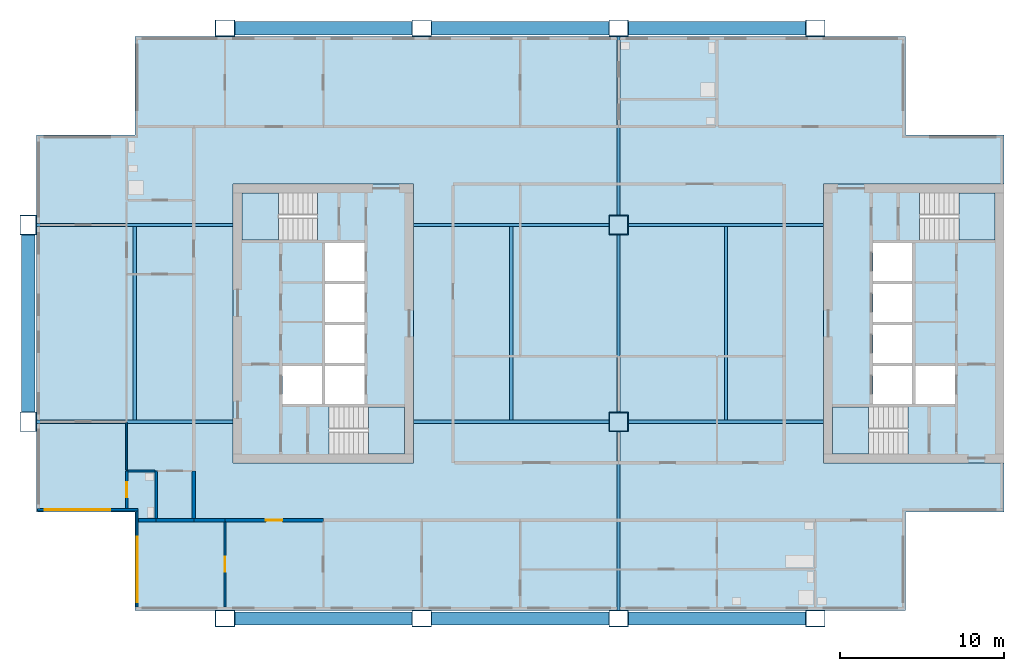
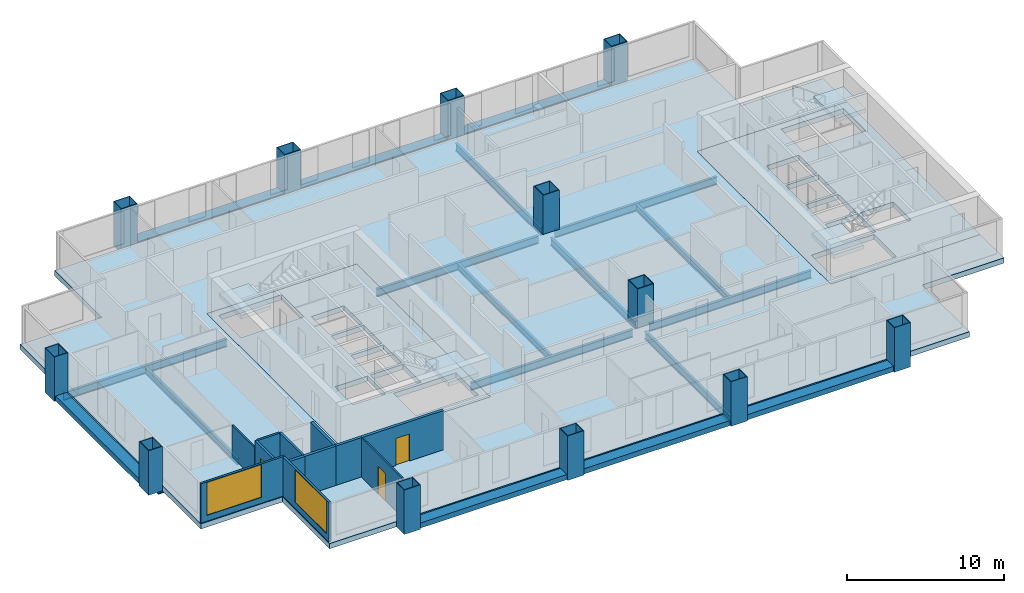
# One storey, part 1 of 9: 19 beams, 12 columns, 12 walls, 7 slabs, 3 doors, 2 windows, 5 openings, 4 elements without a shape of their own.
"""IFC4 building model written with IfcOpenShell, lengths in metres."""

from ifc_helpers import new_model, si_unit, direction, frame, frame_2d, origin, origin_2d, place, context, subcontext, project, spatial, polyline, rectangle, hollow_rectangle, i_section, outline, extrude, material, layer, layer_set, material_profile, profile_set, type_object, element, fill, aggregate, save


model = new_model("IFC4")

# Units and contexts
model_context = context("Model", 3, precision=1e-05, world=origin(), true_north=direction((0.0, 1.0)))
body_context = subcontext(model_context, "Body", "Model", "MODEL_VIEW")
ifc_project = project(units=[si_unit("LENGTHUNIT", "METRE"), si_unit("AREAUNIT", "SQUARE_METRE"), si_unit("VOLUMEUNIT", "CUBIC_METRE"), si_unit("PLANEANGLEUNIT", "RADIAN"), si_unit("MASSUNIT", "GRAM", prefix="KILO")], contexts=[model_context])

# Site, building, storey
site_placement = place(None, origin())
site = spatial("IfcSite", under=ifc_project, at=site_placement, CompositionType="ELEMENT")
building_placement = place(site_placement, origin())
building = spatial("IfcBuilding", under=site, at=building_placement, Name="Kitamizu Gate Tower and Museum", CompositionType="ELEMENT")
storey_placement = place(building_placement, frame((0.0, 0.0, 196.199951171875)))
storey = spatial("IfcBuildingStorey", under=building, at=storey_placement, Name="L52", CompositionType="ELEMENT", Elevation=196.199951171875)

# Columns
ifc_material_1 = material(Name="Steel SM490A bronze coated", Category="steel")
ifc_material_profile_1 = material_profile(ifc_material_1, hollow_rectangle(XDim=1.199951171875, YDim=1.0, WallThickness=0.044921875, at=origin_2d()), Name="BOX 1200x1000x45")
ifc_profile_set_1 = profile_set([ifc_material_profile_1], Name="Steel SM490A bronze coated")
column_type_1 = type_object("IfcColumnType", Name="Exoskeleton column XC7 BOX 1200x1000x45", PredefinedType="COLUMN", material=ifc_profile_set_1)
for number, where, z_axis, x_axis, name in (
    (1, (0.0, 24.0, -0.39990234375), (0.0, 0.0, 1.0), (0.0, 1.0, 0.0), "Column XC7 1C L52"),
    (2, (0.0, 36.0, -0.39990234375), (0.0, 0.0, 1.0), (0.0, 1.0, 0.0), "Column XC7 1D L52"),
    (3, (12.0, 12.0, -0.39990234375), (0.0, 0.0, 1.0), (1.0, 0.0, 0.0), "Column XC7 2B L52"),
    (4, (12.0, 48.0, -0.39990234375), (0.0, 0.0, 1.0), (1.0, 0.0, 0.0), "Column XC7 2E L52"),
    (5, (24.0, 12.0, -0.39990234375), (0.0, 0.0, 1.0), (1.0, 0.0, 0.0), "Column XC7 3B L52"),
    (6, (24.0, 48.0, -0.39990234375), (0.0, 0.0, 1.0), (1.0, 0.0, 0.0), "Column XC7 3E L52"),
    (7, (36.0, 12.0, -0.39990234375), (0.0, 0.0, 1.0), (1.0, 0.0, 0.0), "Column XC7 4B L52"),
    (8, (36.0, 48.0, -0.39990234375), (0.0, 0.0, 1.0), (1.0, 0.0, 0.0), "Column XC7 4E L52"),
    (9, (48.0, 12.0, -0.39990234375), (0.0, 0.0, 1.0), (1.0, 0.0, 0.0), "Column XC7 5B L52"),
    (10, (48.0, 48.0, -0.39990234375), (0.0, 0.0, 1.0), (1.0, 0.0, 0.0), "Column XC7 5E L52"),
):
    element("IfcColumn", number, at=place(storey_placement, frame(where, z_axis=z_axis, x_axis=x_axis)), inside=storey, type_object=column_type_1, Name=name, PredefinedType="COLUMN", context=body_context, shape_type="SweptSolid", body=[
        extrude(hollow_rectangle(XDim=1.199951171875, YDim=1.0, WallThickness=0.044921875, at=origin_2d()), origin(), (0.0, 0.0, 1.0), 3.449951171875),
    ])
ifc_material_2 = material(Name="Steel SM490A", Category="steel")
ifc_material_profile_2 = material_profile(ifc_material_2, hollow_rectangle(XDim=1.199951171875, YDim=1.199951171875, WallThickness=0.050048828125, at=origin_2d()), Name="BOX 1200x1200x50")
ifc_profile_set_2 = profile_set([ifc_material_profile_2], Name="Steel SM490A")
column_type_2 = type_object("IfcColumnType", Name="Interior column IC4 BOX 1200x1200x50", PredefinedType="COLUMN", material=ifc_profile_set_2)
for number, where, z_axis, x_axis, name in (
    (11, (36.0, 24.0, 0.0), (0.0, 0.0, 1.0), (1.0, 0.0, 0.0), "Column IC4 4C L52"),
    (12, (36.0, 36.0, 0.0), (0.0, 0.0, 1.0), (1.0, 0.0, 0.0), "Column IC4 4D L52"),
):
    element("IfcColumn", number, at=place(storey_placement, frame(where, z_axis=z_axis, x_axis=x_axis)), inside=storey, type_object=column_type_2, Name=name, PredefinedType="COLUMN", context=body_context, shape_type="SweptSolid", body=[
        extrude(hollow_rectangle(XDim=1.199951171875, YDim=1.199951171875, WallThickness=0.050048828125, at=origin_2d()), origin(), (0.0, 0.0, 1.0), 3.050048828125),
    ])

# Beams
ifc_material_3 = material(Name="Steel SM490A bronze coated", Category="steel")
ifc_material_profile_3 = material_profile(ifc_material_3, hollow_rectangle(XDim=0.800048828125, YDim=0.39990234375, WallThickness=0.0400390625, at=origin_2d()), Name="BOX 800x400x40")
ifc_profile_set_3 = profile_set([ifc_material_profile_3], Name="Steel SM490A bronze coated")
beam_type_1 = type_object("IfcBeamType", Name="Exoskeleton spandrel beam SB1 BOX 800x400x40", PredefinedType="SPANDREL", material=ifc_profile_set_3)
for number, where, z_axis, x_axis, name in (
    (13, (12.60009765625, 12.0, -0.199951171875), (1.0, 0.0, 0.0), (0.0, 1.0, 0.0), "Exoskeleton spandrel beam south 12 L52"),
    (14, (24.60009765625, 12.0, -0.199951171875), (1.0, 0.0, 0.0), (0.0, 1.0, 0.0), "Exoskeleton spandrel beam south 24 L52"),
    (15, (36.60009765625, 12.0, -0.199951171875), (1.0, 0.0, 0.0), (0.0, 1.0, 0.0), "Exoskeleton spandrel beam south 36 L52"),
    (16, (12.60009765625, 48.0, -0.199951171875), (1.0, 0.0, 0.0), (0.0, 1.0, 0.0), "Exoskeleton spandrel beam north 12 L52"),
    (17, (24.60009765625, 48.0, -0.199951171875), (1.0, 0.0, 0.0), (0.0, 1.0, 0.0), "Exoskeleton spandrel beam north 24 L52"),
    (18, (36.60009765625, 48.0, -0.199951171875), (1.0, 0.0, 0.0), (0.0, 1.0, 0.0), "Exoskeleton spandrel beam north 36 L52"),
    (19, (0.0, 24.60009765625, -0.199951171875), (0.0, 1.0, 0.0), (-1.0, 0.0, 0.0), "Exoskeleton spandrel beam west 24 L52"),
):
    element("IfcBeam", number, at=place(storey_placement, frame(where, z_axis=z_axis, x_axis=x_axis)), inside=storey, type_object=beam_type_1, Name=name, PredefinedType="SPANDREL", context=body_context, shape_type="SweptSolid", body=[
        extrude(hollow_rectangle(XDim=0.800048828125, YDim=0.39990234375, WallThickness=0.0400390625, at=origin_2d()), origin(), (0.0, 0.0, 1.0), 10.7998046875),
    ])
ifc_material_4 = material(Name="Steel SM490A", Category="steel")
ifc_material_profile_4 = material_profile(ifc_material_4, i_section(OverallWidth=0.199951171875, OverallDepth=0.5, WebThickness=0.010009765625, FlangeThickness=0.01611328125, FilletRadius=0.02001953125, at=origin_2d()), Name="H-500x200x10x16")
ifc_profile_set_4 = profile_set([ifc_material_profile_4], Name="Steel SM490A")
beam_type_2 = type_object("IfcBeamType", Name="Floor beam FB1 H 500x200x10x16", PredefinedType="BEAM", material=ifc_profile_set_4)
for number, where, z_axis, x_axis, name in (
    (20, (6.5, 24.10009765625, -0.64990234375), (0.0, 1.0, 0.0), (-1.0, 0.0, 0.0), "Floor beam FB1 L52-1"),
    (21, (29.449951171875, 24.10009765625, -0.64990234375), (0.0, 1.0, 0.0), (-1.0, 0.0, 0.0), "Floor beam FB1 L52-2"),
    (22, (42.550048828125, 24.10009765625, -0.64990234375), (0.0, 1.0, 0.0), (-1.0, 0.0, 0.0), "Floor beam FB1 L52-3"),
):
    element("IfcBeam", number, at=place(storey_placement, frame(where, z_axis=z_axis, x_axis=x_axis)), inside=storey, type_object=beam_type_2, Name=name, PredefinedType="BEAM", context=body_context, shape_type="SweptSolid", body=[
        extrude(i_section(OverallWidth=0.199951171875, OverallDepth=0.5, WebThickness=0.010009765625, FlangeThickness=0.01611328125, FilletRadius=0.02001953125, at=origin_2d()), origin(), (0.0, 0.0, 1.0), 11.7998046875),
    ])
ifc_material_5 = material(Name="Steel SM490A", Category="steel")
ifc_material_profile_5 = material_profile(ifc_material_5, i_section(OverallWidth=0.199951171875, OverallDepth=0.60009765625, WebThickness=0.010986328125, FlangeThickness=0.01708984375, FilletRadius=0.02197265625, at=origin_2d()), Name="H-600x200x11x17")
ifc_profile_set_5 = profile_set([ifc_material_profile_5], Name="Steel SM490A")
beam_type_3 = type_object("IfcBeamType", Name="Floor girder FG1 H 600x200x11x17", PredefinedType="BEAM", material=ifc_profile_set_5)
beam_1_placement = place(storey_placement, frame((36.0, 12.5, -0.699951171875), z_axis=(0.0, 1.0, 0.0), x_axis=(-1.0, 0.0, 0.0)))
element("IfcBeam", 23, at=beam_1_placement, inside=storey, type_object=beam_type_3, Name="Floor girder FG1 x36 L52", PredefinedType="BEAM", context=body_context, shape_type="SweptSolid", body=[
    extrude(i_section(OverallWidth=0.199951171875, OverallDepth=0.60009765625, WebThickness=0.010986328125, FlangeThickness=0.01708984375, FilletRadius=0.02197265625, at=origin_2d()), origin(), (0.0, 0.0, 1.0), 10.89990234375),
])
beam_2_placement = place(storey_placement, frame((36.0, 24.60009765625, -0.699951171875), z_axis=(0.0, 1.0, 0.0), x_axis=(-1.0, 0.0, 0.0)))
element("IfcBeam", 24, at=beam_2_placement, inside=storey, type_object=beam_type_3, Name="Floor girder FG1 x36 L52", PredefinedType="BEAM", context=body_context, shape_type="SweptSolid", body=[
    extrude(i_section(OverallWidth=0.199951171875, OverallDepth=0.60009765625, WebThickness=0.010986328125, FlangeThickness=0.01708984375, FilletRadius=0.02197265625, at=origin_2d()), origin(), (0.0, 0.0, 1.0), 10.7998046875),
])
beam_3_placement = place(storey_placement, frame((36.0, 36.60009765625, -0.699951171875), z_axis=(0.0, 1.0, 0.0), x_axis=(-1.0, 0.0, 0.0)))
element("IfcBeam", 25, at=beam_3_placement, inside=storey, type_object=beam_type_3, Name="Floor girder FG1 x36 L52", PredefinedType="BEAM", context=body_context, shape_type="SweptSolid", body=[
    extrude(i_section(OverallWidth=0.199951171875, OverallDepth=0.60009765625, WebThickness=0.010986328125, FlangeThickness=0.01708984375, FilletRadius=0.02197265625, at=origin_2d()), origin(), (0.0, 0.0, 1.0), 10.89990234375),
])
beam_4_placement = place(storey_placement, frame((0.5, 24.0, -0.699951171875), z_axis=(1.0, 0.0, 0.0), x_axis=(0.0, 1.0, 0.0)))
element("IfcBeam", 26, at=beam_4_placement, inside=storey, type_object=beam_type_3, Name="Floor girder FG1 y24 L52", PredefinedType="BEAM", context=body_context, shape_type="SweptSolid", body=[
    extrude(i_section(OverallWidth=0.199951171875, OverallDepth=0.60009765625, WebThickness=0.010986328125, FlangeThickness=0.01708984375, FilletRadius=0.02197265625, at=origin_2d()), origin(), (0.0, 0.0, 1.0), 12.0),
])
for number, where, z_axis, x_axis, name in (
    (27, (23.5, 24.0, -0.699951171875), (1.0, 0.0, 0.0), (0.0, 1.0, 0.0), "Floor girder FG1 y24 L52"),
    (28, (36.60009765625, 24.0, -0.699951171875), (1.0, 0.0, 0.0), (0.0, 1.0, 0.0), "Floor girder FG1 y24 L52"),
):
    element("IfcBeam", number, at=place(storey_placement, frame(where, z_axis=z_axis, x_axis=x_axis)), inside=storey, type_object=beam_type_3, Name=name, PredefinedType="BEAM", context=body_context, shape_type="SweptSolid", body=[
        extrude(i_section(OverallWidth=0.199951171875, OverallDepth=0.60009765625, WebThickness=0.010986328125, FlangeThickness=0.01708984375, FilletRadius=0.02197265625, at=origin_2d()), origin(), (0.0, 0.0, 1.0), 11.89990234375),
    ])
beam_5_placement = place(storey_placement, frame((0.5, 36.0, -0.699951171875), z_axis=(1.0, 0.0, 0.0), x_axis=(0.0, 1.0, 0.0)))
element("IfcBeam", 29, at=beam_5_placement, inside=storey, type_object=beam_type_3, Name="Floor girder FG1 y36 L52", PredefinedType="BEAM", context=body_context, shape_type="SweptSolid", body=[
    extrude(i_section(OverallWidth=0.199951171875, OverallDepth=0.60009765625, WebThickness=0.010986328125, FlangeThickness=0.01708984375, FilletRadius=0.02197265625, at=origin_2d()), origin(), (0.0, 0.0, 1.0), 12.0),
])
for number, where, z_axis, x_axis, name in (
    (30, (23.5, 36.0, -0.699951171875), (1.0, 0.0, 0.0), (0.0, 1.0, 0.0), "Floor girder FG1 y36 L52"),
    (31, (36.60009765625, 36.0, -0.699951171875), (1.0, 0.0, 0.0), (0.0, 1.0, 0.0), "Floor girder FG1 y36 L52"),
):
    element("IfcBeam", number, at=place(storey_placement, frame(where, z_axis=z_axis, x_axis=x_axis)), inside=storey, type_object=beam_type_3, Name=name, PredefinedType="BEAM", context=body_context, shape_type="SweptSolid", body=[
        extrude(i_section(OverallWidth=0.199951171875, OverallDepth=0.60009765625, WebThickness=0.010986328125, FlangeThickness=0.01708984375, FilletRadius=0.02197265625, at=origin_2d()), origin(), (0.0, 0.0, 1.0), 11.89990234375),
    ])

# Slabs
ifc_material_6 = material(Name="Concrete Fc36", Category="concrete")
ifc_layer_1 = layer(ifc_material_6, 0.39990234375)
ifc_layer_set_1 = layer_set([ifc_layer_1], Name="Concrete Fc36")
slab_type_1 = type_object("IfcSlabType", Name="Core floor slab 400", PredefinedType="FLOOR", material=ifc_layer_set_1)
slab_1_placement = place(storey_placement, frame((0.0, 0.0, -0.39990234375)))
element("IfcSlab", 32, at=slab_1_placement, inside=storey, type_object=slab_type_1, Name="Core floor slab W", PredefinedType="FLOOR", context=body_context, shape_type="SweptSolid", body=[
    extrude(outline(polyline([(12.5, 21.5), (23.5, 21.5), (23.5, 38.5), (12.5, 38.5), (12.5, 21.5)]), holes=[polyline([(15.5, 25.10009765625), (17.89990234375, 25.10009765625), (17.89990234375, 27.39990234375), (15.5, 27.39990234375), (15.5, 25.10009765625)]), polyline([(18.10009765625, 25.10009765625), (20.5, 25.10009765625), (20.5, 27.39990234375), (18.10009765625, 27.39990234375), (18.10009765625, 25.10009765625)]), polyline([(18.10009765625, 27.60009765625), (20.5, 27.60009765625), (20.5, 29.89990234375), (18.10009765625, 29.89990234375), (18.10009765625, 27.60009765625)]), polyline([(18.10009765625, 30.10009765625), (20.5, 30.10009765625), (20.5, 32.39990234375), (18.10009765625, 32.39990234375), (18.10009765625, 30.10009765625)]), polyline([(18.10009765625, 32.60009765625), (20.5, 32.60009765625), (20.5, 34.89990234375), (18.10009765625, 34.89990234375), (18.10009765625, 32.60009765625)]), polyline([(18.3505859375, 22.050048828125), (22.949951171875, 22.050048828125), (22.949951171875, 24.89990234375), (18.3505859375, 24.89990234375), (18.3505859375, 22.050048828125)]), polyline([(13.050048828125, 35.10009765625), (17.6494140625, 35.10009765625), (17.6494140625, 37.949951171875), (13.050048828125, 37.949951171875), (13.050048828125, 35.10009765625)])]), origin(), (0.0, 0.0, 1.0), 0.39990234375),
])
slab_2_placement = place(storey_placement, frame((0.0, 0.0, -0.39990234375)))
element("IfcSlab", 33, at=slab_2_placement, inside=storey, type_object=slab_type_1, Name="Core floor slab E", PredefinedType="FLOOR", context=body_context, shape_type="SweptSolid", body=[
    extrude(outline(polyline([(48.5, 21.5), (59.5, 21.5), (59.5, 38.5), (48.5, 38.5), (48.5, 21.5)]), holes=[polyline([(54.10009765625, 25.10009765625), (56.5, 25.10009765625), (56.5, 27.39990234375), (54.10009765625, 27.39990234375), (54.10009765625, 25.10009765625)]), polyline([(51.5, 25.10009765625), (53.89990234375, 25.10009765625), (53.89990234375, 27.39990234375), (51.5, 27.39990234375), (51.5, 25.10009765625)]), polyline([(51.5, 27.60009765625), (53.89990234375, 27.60009765625), (53.89990234375, 29.89990234375), (51.5, 29.89990234375), (51.5, 27.60009765625)]), polyline([(51.5, 30.10009765625), (53.89990234375, 30.10009765625), (53.89990234375, 32.39990234375), (51.5, 32.39990234375), (51.5, 30.10009765625)]), polyline([(51.5, 32.60009765625), (53.89990234375, 32.60009765625), (53.89990234375, 34.89990234375), (51.5, 34.89990234375), (51.5, 32.60009765625)]), polyline([(49.050048828125, 22.050048828125), (53.6494140625, 22.050048828125), (53.6494140625, 24.89990234375), (49.050048828125, 24.89990234375), (49.050048828125, 22.050048828125)]), polyline([(54.3505859375, 35.10009765625), (58.949951171875, 35.10009765625), (58.949951171875, 37.949951171875), (54.3505859375, 37.949951171875), (54.3505859375, 35.10009765625)])]), origin(), (0.0, 0.0, 1.0), 0.39990234375),
])
ifc_material_7 = material(Name="Concrete Fc36", Category="concrete")
ifc_layer_2 = layer(ifc_material_7, 0.39990234375)
ifc_layer_set_2 = layer_set([ifc_layer_2], Name="Concrete Fc36")
slab_type_2 = type_object("IfcSlabType", Name="Post tensioned flat slab 400", PredefinedType="FLOOR", material=ifc_layer_set_2)
slab_3_placement = place(storey_placement, frame((0.0, 0.0, -0.39990234375)))
element("IfcSlab", 34, at=slab_3_placement, inside=storey, type_object=slab_type_2, Name="Floor slab L52-1", PredefinedType="FLOOR", context=body_context, shape_type="SweptSolid", body=[
    extrude(outline(polyline([(0.5, 18.5), (0.5, 41.5), (6.5, 41.5), (6.5, 47.5), (53.5, 47.5), (53.5, 41.5), (59.5, 41.5), (59.5, 38.5), (48.5, 38.5), (48.5, 21.5), (59.5, 21.5), (59.5, 18.5), (53.5, 18.5), (53.5, 12.5), (6.5, 12.5), (6.5, 18.5), (0.5, 18.5)]), holes=[polyline([(12.5, 38.5), (12.5, 21.5), (23.5, 21.5), (23.5, 38.5), (12.5, 38.5)])]), origin(), (0.0, 0.0, 1.0), 0.39990234375),
])

# Stair, slab
ifc_material_8 = material(Name="Concrete Fc42", Category="concrete")
stair_type = type_object("IfcStairType", Name="Exit stair 1325 wide 192 rise 300 going", PredefinedType="HALF_TURN_STAIR", material=ifc_material_8)
stair_1_placement = place(storey_placement, origin())
stair_1 = element("IfcStair", 35, at=stair_1_placement, inside=storey, type_object=stair_type, Name="Exit stair ST1", PredefinedType="HALF_TURN_STAIR")
ifc_material_9 = material(Name="Concrete Fc42", Category="concrete")
ifc_layer_3 = layer(ifc_material_9, 0.300048828125)
ifc_layer_set_3 = layer_set([ifc_layer_3], Name="Concrete Fc42")
slab_type_3 = type_object("IfcSlabType", Name="Stair landing 300", PredefinedType="LANDING", material=ifc_layer_set_3)
slab_4_placement = place(storey_placement, frame((0.0, 0.0, 1.425048828125)))
slab_4 = element("IfcSlab", 36, at=slab_4_placement, type_object=slab_type_3, Name="ST1 landing 1", PredefinedType="LANDING", context=body_context, shape_type="SweptSolid", body=[
    extrude(outline(polyline([(20.75, 22.050048828125), (22.949951171875, 22.050048828125), (22.949951171875, 24.89990234375), (20.75, 24.89990234375), (20.75, 22.050048828125)])), origin(), (0.0, 0.0, 1.0), 0.300048828125),
])
aggregate(stair_1, [slab_4])

stair_2_placement = place(storey_placement, origin())
stair_2 = element("IfcStair", 37, at=stair_2_placement, inside=storey, type_object=stair_type, Name="Exit stair ST2", PredefinedType="HALF_TURN_STAIR")
slab_5_placement = place(storey_placement, frame((0.0, 0.0, 1.425048828125)))
slab_5 = element("IfcSlab", 38, at=slab_5_placement, type_object=slab_type_3, Name="ST2 landing 1", PredefinedType="LANDING", context=body_context, shape_type="SweptSolid", body=[
    extrude(outline(polyline([(13.050048828125, 35.10009765625), (15.25, 35.10009765625), (15.25, 37.949951171875), (13.050048828125, 37.949951171875), (13.050048828125, 35.10009765625)])), origin(), (0.0, 0.0, 1.0), 0.300048828125),
])
aggregate(stair_2, [slab_5])

stair_3_placement = place(storey_placement, origin())
stair_3 = element("IfcStair", 39, at=stair_3_placement, inside=storey, type_object=stair_type, Name="Exit stair ST3", PredefinedType="HALF_TURN_STAIR")
slab_6_placement = place(storey_placement, frame((0.0, 0.0, 1.425048828125)))
slab_6 = element("IfcSlab", 40, at=slab_6_placement, type_object=slab_type_3, Name="ST3 landing 1", PredefinedType="LANDING", context=body_context, shape_type="SweptSolid", body=[
    extrude(outline(polyline([(49.050048828125, 22.050048828125), (51.25, 22.050048828125), (51.25, 24.89990234375), (49.050048828125, 24.89990234375), (49.050048828125, 22.050048828125)])), origin(), (0.0, 0.0, 1.0), 0.300048828125),
])
aggregate(stair_3, [slab_6])

stair_4_placement = place(storey_placement, origin())
stair_4 = element("IfcStair", 41, at=stair_4_placement, inside=storey, type_object=stair_type, Name="Exit stair ST4", PredefinedType="HALF_TURN_STAIR")
slab_7_placement = place(storey_placement, frame((0.0, 0.0, 1.425048828125)))
slab_7 = element("IfcSlab", 42, at=slab_7_placement, type_object=slab_type_3, Name="ST4 landing 1", PredefinedType="LANDING", context=body_context, shape_type="SweptSolid", body=[
    extrude(outline(polyline([(56.75, 35.10009765625), (58.949951171875, 35.10009765625), (58.949951171875, 37.949951171875), (56.75, 37.949951171875), (56.75, 35.10009765625)])), origin(), (0.0, 0.0, 1.0), 0.300048828125),
])
aggregate(stair_4, [slab_7])

# Wall, opening, door
ifc_material_10 = material(Name="Gypsum board on galvanised stud")
ifc_layer_4 = layer(ifc_material_10, 0.10009765625)
ifc_layer_set_4 = layer_set([ifc_layer_4], Name="Gypsum board on galvanised stud")
wall_type_1 = type_object("IfcWallType", Name="Partition 100 NOT RATED", PredefinedType="PARTITIONING", material=ifc_layer_set_4)
wall_1_placement = place(storey_placement, frame((12.0, 12.719970703125, 0.0), z_axis=(0.0, 0.0, 1.0), x_axis=(0.0, 1.0, 0.0)))
wall_1 = element("IfcWall", 43, at=wall_1_placement, inside=storey, type_object=wall_type_1, Name="Partition L52-001", PredefinedType="PARTITIONING", context=body_context, shape_type="SweptSolid", body=[
    extrude(rectangle(XDim=5.179931640625, YDim=0.10009765625, at=frame_2d((2.58984375, 0.0))), origin(), (0.0, 0.0, 1.0), 3.050048828125),
])
opening_1_placement = place(wall_1_placement, frame((2.139892578125, 0.0, 0.0)))
opening_1 = element("IfcOpeningElement", 44, at=opening_1_placement, cuts=wall_1, Name="Opening L52-002", PredefinedType="OPENING", context=body_context, shape_type="SweptSolid", body=[
    extrude(rectangle(XDim=0.89990234375, YDim=2.10009765625, at=frame_2d((0.449951171875, 1.050048828125))), frame((0.0, 0.06005859375, 0.0), z_axis=(0.0, -1.0, 0.0), x_axis=(1.0, 0.0, 0.0)), (0.0, 0.0, 1.0), 0.1201171875),
])
ifc_material_11 = material(Name="Timber door set", Category="wood")
door_type_1 = type_object("IfcDoorType", Name="Room door 900", OperationType="NOTDEFINED", PredefinedType="DOOR", material=ifc_material_11)
door_1_placement = place(opening_1_placement, origin())
door_1 = element("IfcDoor", 45, at=door_1_placement, inside=storey, type_object=door_type_1, Name="Door L52-002", OperationType="SINGLE_SWING_LEFT", OverallHeight=2.10009765625, OverallWidth=0.89990234375, PredefinedType="DOOR", context=body_context, shape_type="SweptSolid", body=[
    extrude(rectangle(XDim=0.89990234375, YDim=2.10009765625, at=frame_2d((0.449951171875, 1.050048828125))), frame((0.0, 0.02490234375, 0.0), z_axis=(0.0, -1.0, 0.0), x_axis=(1.0, 0.0, 0.0)), (0.0, 0.0, 1.0), 0.050048828125),
])
fill(opening_1, door_1)

# Wall
wall_2_placement = place(storey_placement, frame((6.0, 21.074951171875, 0.0), z_axis=(0.0, 0.0, 1.0), x_axis=(0.0, 1.0, 0.0)))
element("IfcWall", 46, at=wall_2_placement, inside=storey, type_object=wall_type_1, Name="Partition L52-040", PredefinedType="PARTITIONING", context=body_context, shape_type="SweptSolid", body=[
    extrude(rectangle(XDim=2.875, YDim=0.10009765625, at=frame_2d((1.4375, 0.0))), origin(), (0.0, 0.0, 1.0), 2.449951171875),
])

# Wall, opening, door
ifc_material_12 = material(Name="Gypsum board on galvanised stud")
ifc_layer_5 = layer(ifc_material_12, 0.14990234375)
ifc_layer_set_5 = layer_set([ifc_layer_5], Name="Gypsum board on galvanised stud")
wall_type_2 = type_object("IfcWallType", Name="Partition 150", PredefinedType="PARTITIONING", material=ifc_layer_set_5)
wall_3_placement = place(storey_placement, frame((6.0, 18.719970703125, 0.0), z_axis=(0.0, 0.0, 1.0), x_axis=(0.0, 1.0, 0.0)))
wall_3 = element("IfcWall", 47, at=wall_3_placement, inside=storey, type_object=wall_type_2, Name="Partition L52-039", PredefinedType="PARTITIONING", context=body_context, shape_type="SweptSolid", body=[
    extrude(rectangle(XDim=2.280029296875, YDim=0.14990234375, at=frame_2d((1.14013671875, 0.0))), origin(), (0.0, 0.0, 1.0), 3.050048828125),
])
opening_2_placement = place(wall_3_placement, frame((0.68994140625, 0.0, 0.0)))
opening_2 = element("IfcOpeningElement", 48, at=opening_2_placement, cuts=wall_3, Name="Opening L52-022", PredefinedType="OPENING", context=body_context, shape_type="SweptSolid", body=[
    extrude(rectangle(XDim=0.89990234375, YDim=2.10009765625, at=frame_2d((0.449951171875, 1.050048828125))), frame((0.0, 0.0849609375, 0.0), z_axis=(0.0, -1.0, 0.0), x_axis=(1.0, 0.0, 0.0)), (0.0, 0.0, 1.0), 0.169921875),
])
ifc_material_13 = material(Name="Timber door set", Category="wood")
door_type_2 = type_object("IfcDoorType", Name="Bathroom door 900", OperationType="NOTDEFINED", PredefinedType="DOOR", material=ifc_material_13)
door_2_placement = place(opening_2_placement, frame((0.89990234375, 0.0, 0.0), x_axis=(-1.0, 0.0, 0.0)))
door_2 = element("IfcDoor", 49, at=door_2_placement, inside=storey, type_object=door_type_2, Name="Bathroom door L52-022", OperationType="SINGLE_SWING_RIGHT", OverallHeight=2.10009765625, OverallWidth=0.89990234375, PredefinedType="DOOR", context=body_context, shape_type="SweptSolid", body=[
    extrude(rectangle(XDim=0.89990234375, YDim=2.10009765625, at=frame_2d((0.449951171875, 1.050048828125))), frame((0.0, 0.02490234375, 0.0), z_axis=(0.0, -1.0, 0.0), x_axis=(1.0, 0.0, 0.0)), (0.0, 0.0, 1.0), 0.050048828125),
])
fill(opening_2, door_2)

# Walls
wall_4_placement = place(storey_placement, frame((7.800048828125, 18.10009765625, 0.0), z_axis=(0.0, 0.0, 1.0), x_axis=(0.0, 1.0, 0.0)))
element("IfcWall", 50, at=wall_4_placement, inside=storey, type_object=wall_type_2, Name="Partition L52-046", PredefinedType="PARTITIONING", context=body_context, shape_type="SweptSolid", body=[
    extrude(rectangle(XDim=2.89990234375, YDim=0.14990234375, at=frame_2d((1.449951171875, 0.0))), origin(), (0.0, 0.0, 1.0), 3.050048828125),
])
wall_5_placement = place(storey_placement, frame((7.72509765625, 21.0, 0.0), z_axis=(0.0, 0.0, 1.0), x_axis=(-1.0, 0.0, 0.0)))
element("IfcWall", 51, at=wall_5_placement, inside=storey, type_object=wall_type_2, Name="Partition L52-047", PredefinedType="PARTITIONING", context=body_context, shape_type="SweptSolid", body=[
    extrude(rectangle(XDim=1.650146484375, YDim=0.14990234375, at=frame_2d((0.8251953125, 0.0))), origin(), (0.0, 0.0, 1.0), 3.050048828125),
])
ifc_material_14 = material(Name="Gypsum board on galvanised stud")
ifc_layer_6 = layer(ifc_material_14, 0.199951171875)
ifc_layer_set_6 = layer_set([ifc_layer_6], Name="Gypsum board on galvanised stud")
wall_type_3 = type_object("IfcWallType", Name="Partition 200", PredefinedType="PARTITIONING", material=ifc_layer_set_6)
wall_6_placement = place(storey_placement, frame((7.800048828125, 18.0, 0.0), z_axis=(0.0, 0.0, 1.0), x_axis=(-1.0, 0.0, 0.0)))
element("IfcWall", 52, at=wall_6_placement, inside=storey, type_object=wall_type_3, Name="Partition L52-002", PredefinedType="PARTITIONING", context=body_context, shape_type="SweptSolid", body=[
    extrude(rectangle(XDim=1.080078125, YDim=0.199951171875, at=frame_2d((0.5400390625, 0.0))), origin(), (0.0, 0.0, 1.0), 3.050048828125),
])
wall_7_placement = place(storey_placement, frame((10.10009765625, 18.0, 0.0), z_axis=(0.0, 0.0, 1.0), x_axis=(-1.0, 0.0, 0.0)))
element("IfcWall", 53, at=wall_7_placement, inside=storey, type_object=wall_type_3, Name="Partition L52-003", PredefinedType="PARTITIONING", context=body_context, shape_type="SweptSolid", body=[
    extrude(rectangle(XDim=2.300048828125, YDim=0.199951171875, at=frame_2d((1.14990234375, 0.0))), origin(), (0.0, 0.0, 1.0), 3.050048828125),
])
wall_8_placement = place(storey_placement, frame((12.0, 18.0, 0.0), z_axis=(0.0, 0.0, 1.0), x_axis=(-1.0, 0.0, 0.0)))
element("IfcWall", 54, at=wall_8_placement, inside=storey, type_object=wall_type_3, Name="Partition L52-004", PredefinedType="PARTITIONING", context=body_context, shape_type="SweptSolid", body=[
    extrude(rectangle(XDim=1.89990234375, YDim=0.199951171875, at=frame_2d((0.949951171875, 0.0))), origin(), (0.0, 0.0, 1.0), 3.050048828125),
])

# Wall, opening, door
wall_9_placement = place(storey_placement, frame((18.0, 18.0, 0.0), z_axis=(0.0, 0.0, 1.0), x_axis=(-1.0, 0.0, 0.0)))
wall_9 = element("IfcWall", 55, at=wall_9_placement, inside=storey, type_object=wall_type_3, Name="Partition L52-006", PredefinedType="PARTITIONING", context=body_context, shape_type="SweptSolid", body=[
    extrude(rectangle(XDim=6.0, YDim=0.199951171875, at=frame_2d((3.0, 0.0))), origin(), (0.0, 0.0, 1.0), 3.050048828125),
])
opening_3_placement = place(wall_9_placement, frame((2.5, 0.0, 0.0)))
opening_3 = element("IfcOpeningElement", 56, at=opening_3_placement, cuts=wall_9, Name="Opening L52-001", PredefinedType="OPENING", context=body_context, shape_type="SweptSolid", body=[
    extrude(rectangle(XDim=1.0, YDim=2.10009765625, at=frame_2d((0.5, 1.050048828125))), frame((0.0, 0.10986328125, 0.0), z_axis=(0.0, -1.0, 0.0), x_axis=(1.0, 0.0, 0.0)), (0.0, 0.0, 1.0), 0.219970703125),
])
ifc_material_15 = material(Name="Timber door set", Category="wood")
door_type_3 = type_object("IfcDoorType", Name="Flat entrance door 1000", OperationType="NOTDEFINED", PredefinedType="DOOR", material=ifc_material_15)
door_3_placement = place(opening_3_placement, origin())
door_3 = element("IfcDoor", 57, at=door_3_placement, inside=storey, type_object=door_type_3, Name="Flat entrance door L52-001", OperationType="SINGLE_SWING_RIGHT", OverallHeight=2.10009765625, OverallWidth=1.0, PredefinedType="DOOR", context=body_context, shape_type="SweptSolid", body=[
    extrude(rectangle(XDim=1.0, YDim=2.10009765625, at=frame_2d((0.5, 1.050048828125))), frame((0.0, 0.02490234375, 0.0), z_axis=(0.0, -1.0, 0.0), x_axis=(1.0, 0.0, 0.0)), (0.0, 0.0, 1.0), 0.050048828125),
])
fill(opening_3, door_3)

# Wall
wall_10_placement = place(storey_placement, frame((10.10009765625, 18.10009765625, 0.0), z_axis=(0.0, 0.0, 1.0), x_axis=(0.0, 1.0, 0.0)))
element("IfcWall", 58, at=wall_10_placement, inside=storey, type_object=wall_type_3, Name="Partition L52-049", PredefinedType="PARTITIONING", context=body_context, shape_type="SweptSolid", body=[
    extrude(rectangle(XDim=2.89990234375, YDim=0.199951171875, at=frame_2d((1.449951171875, 0.0))), origin(), (0.0, 0.0, 1.0), 3.050048828125),
])

# Wall, opening, window
ifc_material_16 = material(Name="Bronze anodised aluminium frame with insulated spandrel and tinted glass", Category="aluminium")
ifc_layer_7 = layer(ifc_material_16, 0.14990234375)
ifc_layer_set_7 = layer_set([ifc_layer_7], Name="Bronze anodised aluminium frame with insulated spandrel and tinted glass")
wall_type_4 = type_object("IfcWallType", Name="WINDOW WALL 150 BRONZE FRAME EI 30", PredefinedType="ELEMENTEDWALL", material=ifc_layer_set_7)
wall_11_placement = place(storey_placement, frame((0.56005859375, 18.635009765625, 0.0), z_axis=(0.0, 0.0, 1.0), x_axis=(1.0, 0.0, 0.0)))
wall_11 = element("IfcWall", 59, at=wall_11_placement, inside=storey, type_object=wall_type_4, Name="Window wall south L52", PredefinedType="ELEMENTEDWALL", context=body_context, shape_type="SweptSolid", body=[
    extrude(rectangle(XDim=6.14990234375, YDim=0.14990234375, at=frame_2d((3.074951171875, 0.0))), origin(), (0.0, 0.0, 1.0), 3.050048828125),
])
opening_4_placement = place(wall_11_placement, frame((0.43994140625, 0.0, 0.449951171875)))
opening_4 = element("IfcOpeningElement", 60, at=opening_4_placement, cuts=wall_11, Name="Opening W16", PredefinedType="OPENING", context=body_context, shape_type="SweptSolid", body=[
    extrude(rectangle(XDim=4.0, YDim=2.550048828125, at=frame_2d((2.0, 1.27490234375))), frame((0.0, 0.0849609375, 0.0), z_axis=(0.0, -1.0, 0.0), x_axis=(1.0, 0.0, 0.0)), (0.0, 0.0, 1.0), 0.169921875),
])
ifc_material_17 = material(Name="Bronze anodised aluminium frame, tinted triple glazing", Category="aluminium")
window_type = type_object("IfcWindowType", Name="WINDOW 4000 x 2550 SILL 450", PartitioningType="SINGLE_PANEL", PredefinedType="WINDOW", material=ifc_material_17)
window_1_placement = place(opening_4_placement, origin())
window_1 = element("IfcWindow", 61, at=window_1_placement, inside=storey, type_object=window_type, Name="Window W16 L52", OverallHeight=2.550048828125, OverallWidth=4.0, PartitioningType="SINGLE_PANEL", PredefinedType="WINDOW", context=body_context, shape_type="SweptSolid", body=[
    extrude(rectangle(XDim=4.0, YDim=2.550048828125, at=frame_2d((2.0, 1.27490234375))), frame((0.0, 0.030029296875, 0.0), z_axis=(0.0, -1.0, 0.0), x_axis=(1.0, 0.0, 0.0)), (0.0, 0.0, 1.0), 0.06005859375),
])
fill(opening_4, window_1)

wall_12_placement = place(storey_placement, frame((6.635009765625, 12.7099609375, 0.0), z_axis=(0.0, 0.0, 1.0), x_axis=(0.0, 1.0, 0.0)))
wall_12 = element("IfcWall", 62, at=wall_12_placement, inside=storey, type_object=wall_type_4, Name="Window wall west L52", PredefinedType="ELEMENTEDWALL", context=body_context, shape_type="SweptSolid", body=[
    extrude(rectangle(XDim=5.85009765625, YDim=0.14990234375, at=frame_2d((2.925048828125, 0.0))), origin(), (0.0, 0.0, 1.0), 3.050048828125),
])
opening_5_placement = place(wall_12_placement, frame((0.2900390625, 0.0, 0.449951171875)))
opening_5 = element("IfcOpeningElement", 63, at=opening_5_placement, cuts=wall_12, Name="Opening W16", PredefinedType="OPENING", context=body_context, shape_type="SweptSolid", body=[
    extrude(rectangle(XDim=4.0, YDim=2.550048828125, at=frame_2d((2.0, 1.27490234375))), frame((0.0, 0.0849609375, 0.0), z_axis=(0.0, -1.0, 0.0), x_axis=(1.0, 0.0, 0.0)), (0.0, 0.0, 1.0), 0.169921875),
])
window_2_placement = place(opening_5_placement, origin())
window_2 = element("IfcWindow", 64, at=window_2_placement, inside=storey, type_object=window_type, Name="Window W16 L52", OverallHeight=2.550048828125, OverallWidth=4.0, PartitioningType="SINGLE_PANEL", PredefinedType="WINDOW", context=body_context, shape_type="SweptSolid", body=[
    extrude(rectangle(XDim=4.0, YDim=2.550048828125, at=frame_2d((2.0, 1.27490234375))), frame((0.0, 0.030029296875, 0.0), z_axis=(0.0, -1.0, 0.0), x_axis=(1.0, 0.0, 0.0)), (0.0, 0.0, 1.0), 0.06005859375),
])
fill(opening_5, window_2)

save(model, "model.ifc")
